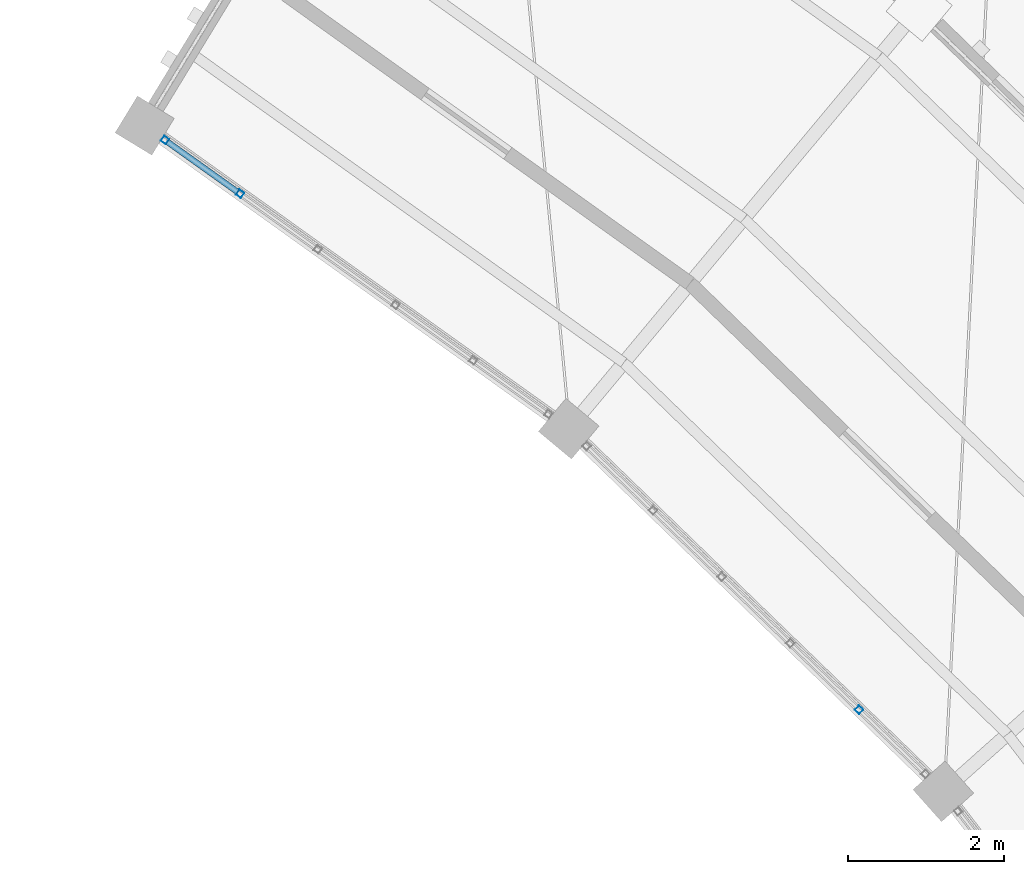
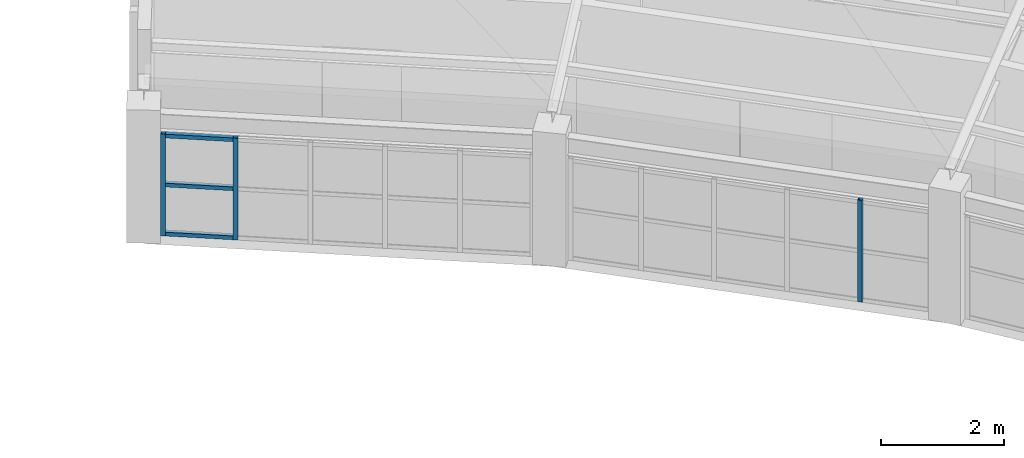
# One storey, part 82 of 149: 6 members, 2 elements without a shape of their own.
"""IFC4 building model written with IfcOpenShell, lengths in metres."""

from ifc_helpers import new_model, si_unit, direction, frame, origin, origin_2d, place, context, subcontext, project, spatial, hollow_rectangle, extrude, material, material_profile, profile_set, type_object, element, aggregate, save


model = new_model("IFC4")

# Units and contexts
model_context = context("Model", 3, precision=1e-05, world=origin(), true_north=direction((0.0, 1.0)))
body_context = subcontext(model_context, "Body", "Model", "MODEL_VIEW")
ifc_project = project(units=[si_unit("LENGTHUNIT", "METRE"), si_unit("AREAUNIT", "SQUARE_METRE"), si_unit("VOLUMEUNIT", "CUBIC_METRE"), si_unit("PLANEANGLEUNIT", "RADIAN"), si_unit("MASSUNIT", "GRAM", prefix="KILO")], contexts=[model_context])

# Site, building, storey
site_placement = place(None, origin())
site = spatial("IfcSite", under=ifc_project, at=site_placement, CompositionType="ELEMENT")
building_placement = place(site_placement, origin())
building = spatial("IfcBuilding", under=site, at=building_placement, Name="Celadon Cloister-Ring School", CompositionType="ELEMENT")
storey_placement = place(building_placement, frame((0.0, 0.0, 12.5)))
storey = spatial("IfcBuildingStorey", under=building, at=storey_placement, Name="L03", CompositionType="ELEMENT", Elevation=12.5)

# Curtain wall, member
ifc_material_1 = material(Name="Aluminium EN AW-6063 T6", Category="aluminium")
curtain_wall_type = type_object("IfcCurtainWallType", Name="CW-02", PredefinedType="USERDEFINED", material=ifc_material_1)
curtain_wall_1_placement = place(storey_placement, origin())
curtain_wall_1 = element("IfcCurtainWall", 1, at=curtain_wall_1_placement, inside=storey, type_object=curtain_wall_type, Name="Curtain Wall 0077", ObjectType="CURTAIN WALL", PredefinedType="USERDEFINED")
ifc_material_2 = material(Name="Aluminium EN AW-6063 T6", Category="aluminium")
ifc_material_profile_1 = material_profile(ifc_material_2, hollow_rectangle(XDim=0.080078125, YDim=0.080078125, WallThickness=0.00390625, at=origin_2d()), Name="RHS80X80X4")
ifc_profile_set_1 = profile_set([ifc_material_profile_1], Name="Aluminium EN AW-6063 T6")
member_type_1 = type_object("IfcMemberType", Name="CM-03", PredefinedType="MULLION", material=ifc_profile_set_1)
member_1_placement = place(storey_placement, frame((119.527099609375, 89.9716796875, 0.0), z_axis=(0.0, 0.0, 1.0), x_axis=(-0.695473229624, -0.718552007078, 0.0)))
member_1 = element("IfcMember", 2, at=member_1_placement, type_object=member_type_1, Name="CW-02 mullion 2", PredefinedType="MULLION", context=body_context, shape_type="SweptSolid", body=[
    extrude(hollow_rectangle(XDim=0.080078125, YDim=0.080078125, WallThickness=0.00390625, at=origin_2d()), origin(), (0.0, 0.0, 1.0), 2.02001953125),
])
aggregate(curtain_wall_1, [member_1])

# Curtain wall, members
curtain_wall_2_placement = place(storey_placement, origin())
curtain_wall_2 = element("IfcCurtainWall", 3, at=curtain_wall_2_placement, inside=storey, type_object=curtain_wall_type, Name="Curtain Wall 0078", ObjectType="CURTAIN WALL", PredefinedType="USERDEFINED")
member_2_placement = place(storey_placement, frame((111.61279296875, 96.5693359375, 0.0), z_axis=(0.0, 0.0, 1.0), x_axis=(-0.581640746221, -0.813445783279, 0.0)))
member_2 = element("IfcMember", 4, at=member_2_placement, type_object=member_type_1, Name="CW-02 mullion 5", PredefinedType="MULLION", context=body_context, shape_type="SweptSolid", body=[
    extrude(hollow_rectangle(XDim=0.080078125, YDim=0.080078125, WallThickness=0.00390625, at=origin_2d()), origin(), (0.0, 0.0, 1.0), 2.02001953125),
])
member_3_placement = place(storey_placement, frame((110.651611328125, 97.2568359375, 0.0), z_axis=(0.0, 0.0, 1.0), x_axis=(-0.581640746221, -0.813445783279, 0.0)))
member_3 = element("IfcMember", 5, at=member_3_placement, type_object=member_type_1, Name="CW-02 mullion 6", PredefinedType="MULLION", context=body_context, shape_type="SweptSolid", body=[
    extrude(hollow_rectangle(XDim=0.080078125, YDim=0.080078125, WallThickness=0.00390625, at=origin_2d()), origin(), (0.0, 0.0, 1.0), 2.02001953125),
])
ifc_material_3 = material(Name="Aluminium EN AW-6063 T6", Category="aluminium")
ifc_material_profile_2 = material_profile(ifc_material_3, hollow_rectangle(XDim=0.074951171875, YDim=0.074951171875, WallThickness=0.00390625, at=origin_2d()), Name="RHS75X75X4")
ifc_profile_set_2 = profile_set([ifc_material_profile_2], Name="Aluminium EN AW-6063 T6")
member_type_2 = type_object("IfcMemberType", Name="CTM-03", PredefinedType="USERDEFINED", material=ifc_profile_set_2)
member_4_placement = place(storey_placement, frame((111.580322265625, 96.5927734375, 0.03759765625), z_axis=(-0.813538766116, 0.581510684361, 0.0), x_axis=(-0.581510684361, -0.813538766116, 0.0)))
member_4 = element("IfcMember", 6, at=member_4_placement, type_object=member_type_2, Name="CW-02 transom 5.1", ObjectType="TRANSOM", PredefinedType="USERDEFINED", context=body_context, shape_type="SweptSolid", body=[
    extrude(hollow_rectangle(XDim=0.074951171875, YDim=0.074951171875, WallThickness=0.00390625, at=origin_2d()), origin(), (0.0, 0.0, 1.0), 1.1015625),
])
member_5_placement = place(storey_placement, frame((111.580322265625, 96.5927734375, 1.010009765625), z_axis=(-0.813538766116, 0.581510684361, 0.0), x_axis=(-0.581510684361, -0.813538766116, 0.0)))
member_5 = element("IfcMember", 7, at=member_5_placement, type_object=member_type_2, Name="CW-02 transom 5.2", ObjectType="TRANSOM", PredefinedType="USERDEFINED", context=body_context, shape_type="SweptSolid", body=[
    extrude(hollow_rectangle(XDim=0.074951171875, YDim=0.074951171875, WallThickness=0.00390625, at=origin_2d()), origin(), (0.0, 0.0, 1.0), 1.1015625),
])
member_6_placement = place(storey_placement, frame((111.580322265625, 96.5927734375, 1.982421875), z_axis=(-0.813538766116, 0.581510684361, 0.0), x_axis=(-0.581510684361, -0.813538766116, 0.0)))
member_6 = element("IfcMember", 8, at=member_6_placement, type_object=member_type_2, Name="CW-02 transom 5.3", ObjectType="TRANSOM", PredefinedType="USERDEFINED", context=body_context, shape_type="SweptSolid", body=[
    extrude(hollow_rectangle(XDim=0.074951171875, YDim=0.074951171875, WallThickness=0.00390625, at=origin_2d()), origin(), (0.0, 0.0, 1.0), 1.1015625),
])
aggregate(curtain_wall_2, [member_2, member_3, member_4, member_5, member_6])

save(model, "model.ifc")
